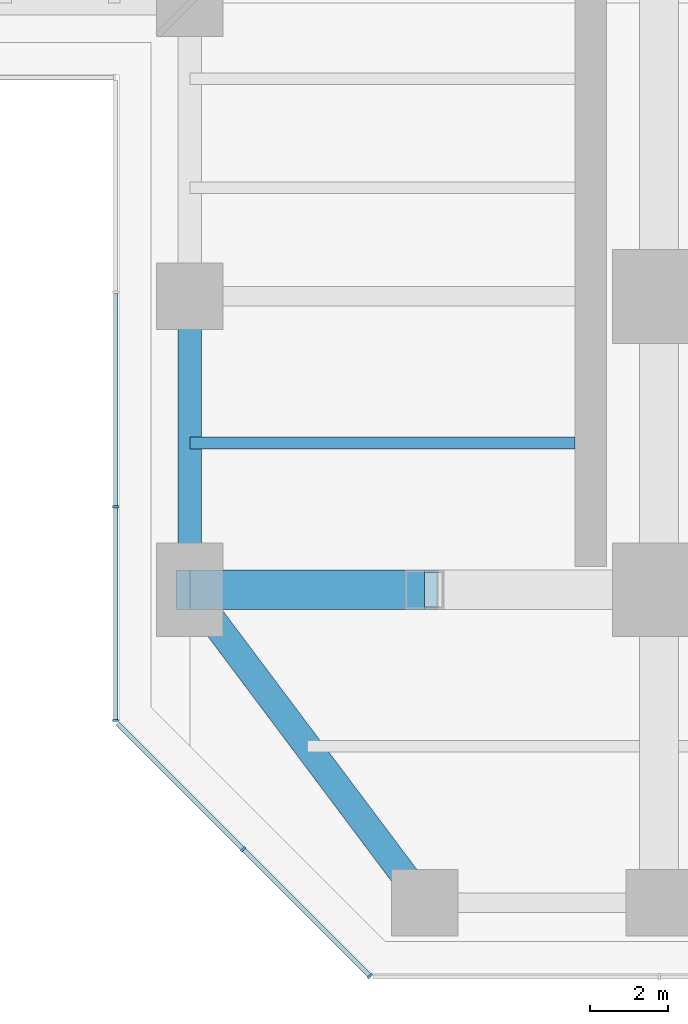
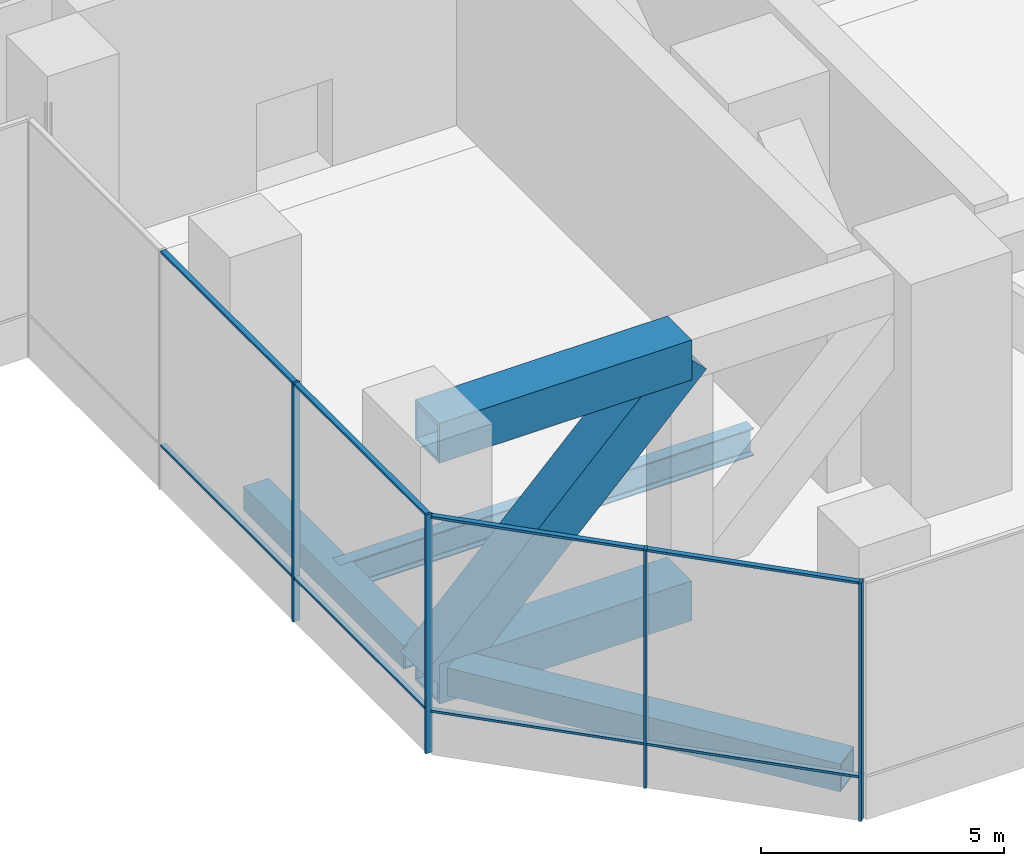
# One storey, part 2 of 20: 15 members, 3 beams, 2 elements without a shape of their own.
"""IFC4 building model written with IfcOpenShell, lengths in metres."""

from ifc_helpers import new_model, si_unit, direction, frame, origin, origin_2d, place, context, subcontext, project, spatial, rectangle, hollow_rectangle, i_section, extrude, material, material_profile, profile_set, type_object, element, aggregate, save


model = new_model("IFC4")

# Units and contexts
model_context = context("Model", 3, precision=1e-05, world=origin(), true_north=direction((0.0, 1.0)))
body_context = subcontext(model_context, "Body", "Model", "MODEL_VIEW")
ifc_project = project(units=[si_unit("LENGTHUNIT", "METRE"), si_unit("AREAUNIT", "SQUARE_METRE"), si_unit("VOLUMEUNIT", "CUBIC_METRE"), si_unit("PLANEANGLEUNIT", "RADIAN"), si_unit("MASSUNIT", "GRAM", prefix="KILO")], contexts=[model_context])

# Site, building, storey
site_placement = place(None, origin())
site = spatial("IfcSite", under=ifc_project, at=site_placement, CompositionType="ELEMENT")
building_placement = place(site_placement, origin())
building = spatial("IfcBuilding", under=site, at=building_placement, Name="Mizan Broadcast Tower", CompositionType="ELEMENT")
storey_placement = place(building_placement, frame((0.0, 0.0, 118.199951171875)))
storey = spatial("IfcBuildingStorey", under=building, at=storey_placement, Name="L26", CompositionType="ELEMENT", Elevation=118.199951171875)

# Members
ifc_material_1 = material(Name="Steel S460", Category="steel")
ifc_material_profile_1 = material_profile(ifc_material_1, hollow_rectangle(XDim=1.0, YDim=1.0, WallThickness=0.080078125, at=origin_2d()), Name="BOX 1000x1000x80")
ifc_profile_set_1 = profile_set([ifc_material_profile_1], Name="Steel S460")
member_type_1 = type_object("IfcMemberType", Name="BELT TRUSS BT2 CHORD BOX 1000x1000x80", PredefinedType="CHORD", material=ifc_profile_set_1)
for number, where, z_axis, x_axis, name in (
    (1, (-12.0, -27.0, -0.679931640625), (1.0, 0.0, 0.0), (0.0, 1.0, 0.0), "Belt truss BT2-S27 bottom chord 1"),
    (2, (-12.0, -27.0, 5.3701171875), (1.0, 0.0, 0.0), (0.0, 1.0, 0.0), "Belt truss BT2-S27 top chord 1"),
):
    element("IfcMember", number, at=place(storey_placement, frame(where, z_axis=z_axis, x_axis=x_axis)), inside=storey, type_object=member_type_1, Name=name, PredefinedType="CHORD", context=body_context, shape_type="SweptSolid", body=[
        extrude(hollow_rectangle(XDim=1.0, YDim=1.0, WallThickness=0.080078125, at=origin_2d()), origin(), (0.0, 0.0, 1.0), 6.0),
    ])
ifc_material_2 = material(Name="Steel S460", Category="steel")
ifc_material_profile_2 = material_profile(ifc_material_2, hollow_rectangle(XDim=1.0, YDim=1.0, WallThickness=0.06005859375, at=origin_2d()), Name="BOX 1000x1000x60")
ifc_profile_set_2 = profile_set([ifc_material_profile_2], Name="Steel S460")
member_type_2 = type_object("IfcMemberType", Name="BELT TRUSS BT2 DIAGONAL BOX 1000x1000x60", PredefinedType="BRACE", material=ifc_profile_set_2)
member_1_placement = place(storey_placement, frame((-12.0, -27.0, -0.679931640625), z_axis=(0.704163801085, 0.0, 0.710037563261), x_axis=(0.0, 1.0, 0.0)))
element("IfcMember", 3, at=member_1_placement, inside=storey, type_object=member_type_2, Name="Belt truss BT2-S27 diagonal 1", PredefinedType="BRACE", context=body_context, shape_type="SweptSolid", body=[
    extrude(hollow_rectangle(XDim=1.0, YDim=1.0, WallThickness=0.06005859375, at=origin_2d()), origin(), (0.0, 0.0, 1.0), 8.520751953125),
])

# Beams
ifc_material_3 = material(Name="Steel S355", Category="steel")
ifc_material_profile_3 = material_profile(ifc_material_3, hollow_rectangle(XDim=0.60009765625, YDim=0.60009765625, WallThickness=0.0400390625, at=origin_2d()), Name="BOX 600x600x40")
ifc_profile_set_3 = profile_set([ifc_material_profile_3], Name="Steel S355")
beam_type_1 = type_object("IfcBeamType", Name="EDGE BEAM BOX 600x600x40", PredefinedType="SPANDREL", material=ifc_profile_set_3)
beam_1_placement = place(storey_placement, frame((-12.0, -19.949951171875, -0.47998046875), z_axis=(0.0, -1.0, 0.0), x_axis=(1.0, 0.0, 0.0)))
element("IfcBeam", 4, at=beam_1_placement, inside=storey, type_object=beam_type_1, Name="Edge beam BOX 600x600x40 L26 south arm", PredefinedType="SPANDREL", context=body_context, shape_type="SweptSolid", body=[
    extrude(hollow_rectangle(XDim=0.60009765625, YDim=0.60009765625, WallThickness=0.0400390625, at=origin_2d()), origin(), (0.0, 0.0, 1.0), 6.60009765625),
])
ifc_material_4 = material(Name="Steel S355", Category="steel")
ifc_material_profile_4 = material_profile(ifc_material_4, hollow_rectangle(XDim=0.699951171875, YDim=0.699951171875, WallThickness=0.0400390625, at=origin_2d()), Name="BOX 700x700x40")
ifc_profile_set_4 = profile_set([ifc_material_profile_4], Name="Steel S355")
beam_type_2 = type_object("IfcBeamType", Name="EDGE BEAM BOX 700x700x40", PredefinedType="SPANDREL", material=ifc_profile_set_4)
beam_2_placement = place(storey_placement, frame((-11.639892578125, -27.47998046875, -0.530029296875), z_axis=(0.599982243973, -0.800013316712, 0.0), x_axis=(0.800013316712, 0.599982243973, 0.0)))
element("IfcBeam", 5, at=beam_2_placement, inside=storey, type_object=beam_type_2, Name="Edge beam BOX 700x700x40 L26 south arm", PredefinedType="SPANDREL", context=body_context, shape_type="SweptSolid", body=[
    extrude(hollow_rectangle(XDim=0.699951171875, YDim=0.699951171875, WallThickness=0.0400390625, at=origin_2d()), origin(), (0.0, 0.0, 1.0), 8.7998046875),
])

# Curtain wall, members
ifc_material_5 = material(Name="Aluminium framed glazing", Category="aluminium")
curtain_wall_type = type_object("IfcCurtainWallType", Name="PLANT LOUVRE", PredefinedType="USERDEFINED", material=ifc_material_5)
curtain_wall_1_placement = place(storey_placement, origin())
curtain_wall_1 = element("IfcCurtainWall", 6, at=curtain_wall_1_placement, inside=storey, type_object=curtain_wall_type, Name="Plant louvre L26 S side", ObjectType="PLANT LOUVRE", PredefinedType="USERDEFINED")
ifc_material_6 = material(Name="Aluminium, pale anodised", Category="aluminium")
ifc_material_profile_5 = material_profile(ifc_material_6, rectangle(XDim=0.159912109375, YDim=0.06005859375, at=origin_2d()), Name="MULLION 160x60")
ifc_profile_set_5 = profile_set([ifc_material_profile_5], Name="Aluminium, pale anodised")
member_type_3 = type_object("IfcMemberType", Name="INNER SKIN MULLION 60x160", PredefinedType="MULLION", material=ifc_profile_set_5)
member_2_placement = place(storey_placement, frame((-13.89990234375, -24.8818359375, 0.0), z_axis=(0.0, 0.0, 1.0), x_axis=(1.0, 0.0, 0.0)))
member_2 = element("IfcMember", 7, at=member_2_placement, type_object=member_type_3, Name="Plant louvre L26 S side mullion 3", PredefinedType="MULLION", context=body_context, shape_type="SweptSolid", body=[
    extrude(rectangle(XDim=0.159912109375, YDim=0.06005859375, at=origin_2d()), origin(), (0.0, 0.0, 1.0), 6.0),
])
member_3_placement = place(storey_placement, frame((-13.89990234375, -30.3427734375, 0.0), z_axis=(0.0, 0.0, 1.0), x_axis=(1.0, 0.0, 0.0)))
member_3 = element("IfcMember", 8, at=member_3_placement, type_object=member_type_3, Name="Plant louvre L26 S side mullion 4", PredefinedType="MULLION", context=body_context, shape_type="SweptSolid", body=[
    extrude(rectangle(XDim=0.159912109375, YDim=0.06005859375, at=origin_2d()), origin(), (0.0, 0.0, 1.0), 6.0),
])

curtain_wall_2_placement = place(storey_placement, origin())
curtain_wall_2 = element("IfcCurtainWall", 9, at=curtain_wall_2_placement, inside=storey, type_object=curtain_wall_type, Name="Plant louvre L26 S chamfer", ObjectType="PLANT LOUVRE", PredefinedType="USERDEFINED")
member_4_placement = place(storey_placement, frame((-10.636474609375, -33.636474609375, 0.0), z_axis=(0.0, 0.0, 1.0), x_axis=(0.707106781187, 0.707106781187, 0.0)))
member_4 = element("IfcMember", 10, at=member_4_placement, type_object=member_type_3, Name="Plant louvre L26 S chamfer mullion 2", PredefinedType="MULLION", context=body_context, shape_type="SweptSolid", body=[
    extrude(rectangle(XDim=0.159912109375, YDim=0.06005859375, at=origin_2d()), origin(), (0.0, 0.0, 1.0), 6.0),
])
member_5_placement = place(storey_placement, frame((-7.39404296875, -36.87890625, 0.0), z_axis=(0.0, 0.0, 1.0), x_axis=(0.707106781187, 0.707106781187, 0.0)))
member_5 = element("IfcMember", 11, at=member_5_placement, type_object=member_type_3, Name="Plant louvre L26 S chamfer mullion 3", PredefinedType="MULLION", context=body_context, shape_type="SweptSolid", body=[
    extrude(rectangle(XDim=0.159912109375, YDim=0.06005859375, at=origin_2d()), origin(), (0.0, 0.0, 1.0), 6.0),
])

# Member
ifc_material_7 = material(Name="Aluminium, pale anodised", Category="aluminium")
ifc_material_profile_6 = material_profile(ifc_material_7, rectangle(XDim=0.1201171875, YDim=0.06005859375, at=origin_2d()), Name="TRANSOM 120x60")
ifc_profile_set_6 = profile_set([ifc_material_profile_6], Name="Aluminium, pale anodised")
member_type_4 = type_object("IfcMemberType", Name="INNER SKIN TRANSOM 60x120", PredefinedType="USERDEFINED", material=ifc_profile_set_6)
member_6_placement = place(storey_placement, frame((-13.89990234375, -19.4208984375, 1.10009765625), z_axis=(0.0, -1.0, 0.0), x_axis=(1.0, 0.0, 0.0)))
member_6 = element("IfcMember", 12, at=member_6_placement, type_object=member_type_4, Name="Plant louvre L26 S side transom 2.1", ObjectType="TRANSOM", PredefinedType="USERDEFINED", context=body_context, shape_type="SweptSolid", body=[
    extrude(rectangle(XDim=0.1201171875, YDim=0.06005859375, at=origin_2d()), origin(), (0.0, 0.0, 1.0), 5.430908203125),
])

member_7_placement = place(storey_placement, frame((-13.89990234375, -19.4208984375, 5.969970703125), z_axis=(0.0, -1.0, 0.0), x_axis=(1.0, 0.0, 0.0)))
member_7 = element("IfcMember", 13, at=member_7_placement, type_object=member_type_4, Name="Plant louvre L26 S side transom 2.2", ObjectType="TRANSOM", PredefinedType="USERDEFINED", context=body_context, shape_type="SweptSolid", body=[
    extrude(rectangle(XDim=0.1201171875, YDim=0.06005859375, at=origin_2d()), origin(), (0.0, 0.0, 1.0), 5.430908203125),
])

member_8_placement = place(storey_placement, frame((-13.89990234375, -24.911865234375, 1.10009765625), z_axis=(0.0, -1.0, 0.0), x_axis=(1.0, 0.0, 0.0)))
member_8 = element("IfcMember", 14, at=member_8_placement, type_object=member_type_4, Name="Plant louvre L26 S side transom 3.1", ObjectType="TRANSOM", PredefinedType="USERDEFINED", context=body_context, shape_type="SweptSolid", body=[
    extrude(rectangle(XDim=0.1201171875, YDim=0.06005859375, at=origin_2d()), origin(), (0.0, 0.0, 1.0), 5.40087890625),
])

member_9_placement = place(storey_placement, frame((-13.89990234375, -24.911865234375, 5.969970703125), z_axis=(0.0, -1.0, 0.0), x_axis=(1.0, 0.0, 0.0)))
member_9 = element("IfcMember", 15, at=member_9_placement, type_object=member_type_4, Name="Plant louvre L26 S side transom 3.2", ObjectType="TRANSOM", PredefinedType="USERDEFINED", context=body_context, shape_type="SweptSolid", body=[
    extrude(rectangle(XDim=0.1201171875, YDim=0.06005859375, at=origin_2d()), origin(), (0.0, 0.0, 1.0), 5.40087890625),
])

aggregate(curtain_wall_1, [member_2, member_3, member_6, member_7, member_8, member_9])

member_10_placement = place(storey_placement, frame((-13.857666015625, -30.415283203125, 1.10009765625), z_axis=(0.707106781187, -0.707106781187, 0.0), x_axis=(0.707106781187, 0.707106781187, 0.0)))
member_10 = element("IfcMember", 16, at=member_10_placement, type_object=member_type_4, Name="Plant louvre L26 S chamfer transom 1.1", ObjectType="TRANSOM", PredefinedType="USERDEFINED", context=body_context, shape_type="SweptSolid", body=[
    extrude(rectangle(XDim=0.1201171875, YDim=0.06005859375, at=origin_2d()), origin(), (0.0, 0.0, 1.0), 4.525390625),
])

member_11_placement = place(storey_placement, frame((-13.857666015625, -30.415283203125, 5.969970703125), z_axis=(0.707106781187, -0.707106781187, 0.0), x_axis=(0.707106781187, 0.707106781187, 0.0)))
member_11 = element("IfcMember", 17, at=member_11_placement, type_object=member_type_4, Name="Plant louvre L26 S chamfer transom 1.2", ObjectType="TRANSOM", PredefinedType="USERDEFINED", context=body_context, shape_type="SweptSolid", body=[
    extrude(rectangle(XDim=0.1201171875, YDim=0.06005859375, at=origin_2d()), origin(), (0.0, 0.0, 1.0), 4.525390625),
])

member_12_placement = place(storey_placement, frame((-10.615234375, -33.65771484375, 1.10009765625), z_axis=(0.707106781187, -0.707106781187, 0.0), x_axis=(0.707106781187, 0.707106781187, 0.0)))
member_12 = element("IfcMember", 18, at=member_12_placement, type_object=member_type_4, Name="Plant louvre L26 S chamfer transom 2.1", ObjectType="TRANSOM", PredefinedType="USERDEFINED", context=body_context, shape_type="SweptSolid", body=[
    extrude(rectangle(XDim=0.1201171875, YDim=0.06005859375, at=origin_2d()), origin(), (0.0, 0.0, 1.0), 4.525390625),
])

member_13_placement = place(storey_placement, frame((-10.615234375, -33.65771484375, 5.969970703125), z_axis=(0.707106781187, -0.707106781187, 0.0), x_axis=(0.707106781187, 0.707106781187, 0.0)))
member_13 = element("IfcMember", 19, at=member_13_placement, type_object=member_type_4, Name="Plant louvre L26 S chamfer transom 2.2", ObjectType="TRANSOM", PredefinedType="USERDEFINED", context=body_context, shape_type="SweptSolid", body=[
    extrude(rectangle(XDim=0.1201171875, YDim=0.06005859375, at=origin_2d()), origin(), (0.0, 0.0, 1.0), 4.525390625),
])

aggregate(curtain_wall_2, [member_4, member_5, member_10, member_11, member_12, member_13])

# Beam
ifc_material_8 = material(Name="Steel S355", Category="steel")
ifc_material_profile_7 = material_profile(ifc_material_8, i_section(OverallWidth=0.300048828125, OverallDepth=0.68994140625, WebThickness=0.014404296875, FlangeThickness=0.027099609375, FilletRadius=0.027099609375, at=origin_2d()), Name="HEA 700")
ifc_profile_set_7 = profile_set([ifc_material_profile_7], Name="Steel S355")
beam_type_3 = type_object("IfcBeamType", Name="SECONDARY BEAM HEA 700", PredefinedType="JOIST", material=ifc_profile_set_7)
beam_3_placement = place(storey_placement, frame((-12.0, -23.25, -0.52490234375), z_axis=(1.0, 0.0, 0.0), x_axis=(0.0, 1.0, 0.0)))
element("IfcBeam", 20, at=beam_3_placement, inside=storey, type_object=beam_type_3, Name="Secondary beam HEA 700 L26 south arm", PredefinedType="JOIST", context=body_context, shape_type="SweptSolid", body=[
    extrude(i_section(OverallWidth=0.300048828125, OverallDepth=0.68994140625, WebThickness=0.014404296875, FlangeThickness=0.027099609375, FilletRadius=0.027099609375, at=origin_2d()), origin(), (0.0, 0.0, 1.0), 9.85009765625),
])

save(model, "model.ifc")
